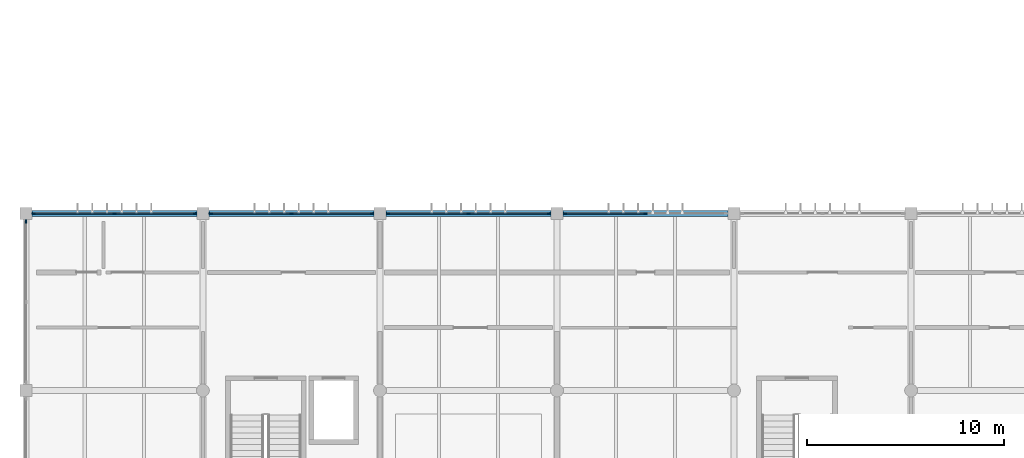
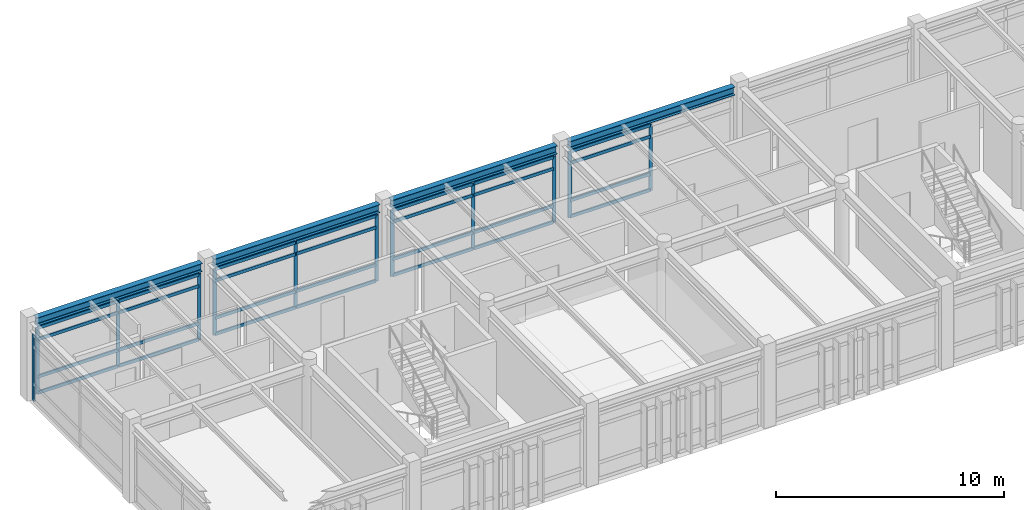
# One storey, part 9 of 55: 40 members, 4 beams, 5 elements without a shape of their own.
"""IFC4 building model written with IfcOpenShell, lengths in metres."""

from ifc_helpers import new_model, si_unit, direction, frame, origin, origin_2d, place, context, subcontext, project, spatial, rectangle, i_section, extrude, material, material_profile, profile_set, type_object, element, aggregate, save


model = new_model("IFC4")

# Units and contexts
model_context = context("Model", 3, precision=1e-05, world=origin(), true_north=direction((0.0, 1.0)))
body_context = subcontext(model_context, "Body", "Model", "MODEL_VIEW")
ifc_project = project(units=[si_unit("LENGTHUNIT", "METRE"), si_unit("AREAUNIT", "SQUARE_METRE"), si_unit("VOLUMEUNIT", "CUBIC_METRE"), si_unit("PLANEANGLEUNIT", "RADIAN"), si_unit("MASSUNIT", "GRAM", prefix="KILO")], contexts=[model_context])

# Site, building, storey
site_placement = place(None, origin())
site = spatial("IfcSite", under=ifc_project, at=site_placement, CompositionType="ELEMENT")
building_placement = place(site_placement, origin())
building = spatial("IfcBuilding", under=site, at=building_placement, Name="Bozkorgan Art Gallery", CompositionType="ELEMENT")
storey_placement = place(building_placement, frame((0.0, 0.0, 15.0)))
storey = spatial("IfcBuildingStorey", under=building, at=storey_placement, Name="L03", CompositionType="ELEMENT", Elevation=15.0)

# Beams
ifc_material_1 = material(Name="Steel S355J2", Category="steel")
ifc_material_profile_1 = material_profile(ifc_material_1, i_section(OverallWidth=0.300048828125, OverallDepth=0.43994140625, WebThickness=0.011474609375, FlangeThickness=0.02099609375, FilletRadius=0.027099609375, at=origin_2d()), Name="HEA 450")
ifc_profile_set_1 = profile_set([ifc_material_profile_1], Name="Steel S355J2")
beam_type = type_object("IfcBeamType", Name="BEAM-SP-34", PredefinedType="SPANDREL", material=ifc_profile_set_1)
for number, where, z_axis, x_axis, name in (
    (1, (2.300048828125, 20.0, 3.9599609375), (1.0, 0.0, 0.0), (0.0, 1.0, 0.0), "V1 L03 spandrel X (2-11, 20.0)"),
    (2, (11.300048828125, 20.0, 3.9599609375), (1.0, 0.0, 0.0), (0.0, 1.0, 0.0), "V1 L03 spandrel X (11-20, 20.0)"),
    (3, (20.300048828125, 20.0, 3.9599609375), (1.0, 0.0, 0.0), (0.0, 1.0, 0.0), "V1 L03 spandrel X (20-29, 20.0)"),
    (4, (29.300048828125, 20.0, 3.9599609375), (1.0, 0.0, 0.0), (0.0, 1.0, 0.0), "V1 L03 spandrel X (29-38, 20.0)"),
):
    element("IfcBeam", number, at=place(storey_placement, frame(where, z_axis=z_axis, x_axis=x_axis)), inside=storey, type_object=beam_type, Name=name, PredefinedType="SPANDREL", context=body_context, shape_type="SweptSolid", body=[
        extrude(i_section(OverallWidth=0.300048828125, OverallDepth=0.43994140625, WebThickness=0.011474609375, FlangeThickness=0.02099609375, FilletRadius=0.027099609375, at=origin_2d()), origin(), (0.0, 0.0, 1.0), 8.39990234375),
    ])

# Curtain wall, members
ifc_material_2 = material(Name="Anodised Bronze Aluminium", Category="aluminium")
curtain_wall_type = type_object("IfcCurtainWallType", Name="CW-CW-42", PredefinedType="NOTDEFINED", material=ifc_material_2)
curtain_wall_1_placement = place(storey_placement, origin())
curtain_wall_1 = element("IfcCurtainWall", 5, at=curtain_wall_1_placement, inside=storey, type_object=curtain_wall_type, Name="L03 unitised curtain wall CW-V1-L03-1N-02", PredefinedType="NOTDEFINED")
ifc_material_profile_2 = material_profile(ifc_material_2, rectangle(XDim=0.06494140625, YDim=0.179931640625, at=origin_2d()), Name="ALU MULLION 65x180")
ifc_profile_set_2 = profile_set([ifc_material_profile_2], Name="Anodised Bronze Aluminium")
member_type_1 = type_object("IfcMemberType", Name="CWM-01", PredefinedType="MULLION", material=ifc_profile_set_2)
member_1_placement = place(storey_placement, frame((2.3974609375, 20.0, 0.02001953125), z_axis=(0.0, 0.0, 1.0), x_axis=(0.0, 1.0, 0.0)))
member_1 = element("IfcMember", 6, at=member_1_placement, type_object=member_type_1, Name="CW-42 mullion 1", PredefinedType="MULLION", context=body_context, shape_type="SweptSolid", body=[
    extrude(rectangle(XDim=0.06494140625, YDim=0.179931640625, at=origin_2d()), origin(), (0.0, 0.0, 1.0), 3.554931640625),
])
member_2_placement = place(storey_placement, frame((6.5, 20.0, 0.02001953125), z_axis=(0.0, 0.0, 1.0), x_axis=(0.0, 1.0, 0.0)))
member_2 = element("IfcMember", 7, at=member_2_placement, type_object=member_type_1, Name="CW-42 mullion 2", PredefinedType="MULLION", context=body_context, shape_type="SweptSolid", body=[
    extrude(rectangle(XDim=0.06494140625, YDim=0.179931640625, at=origin_2d()), origin(), (0.0, 0.0, 1.0), 3.554931640625),
])
member_3_placement = place(storey_placement, frame((10.6025390625, 20.0, 0.02001953125), z_axis=(0.0, 0.0, 1.0), x_axis=(0.0, 1.0, 0.0)))
member_3 = element("IfcMember", 8, at=member_3_placement, type_object=member_type_1, Name="CW-42 mullion 3", PredefinedType="MULLION", context=body_context, shape_type="SweptSolid", body=[
    extrude(rectangle(XDim=0.06494140625, YDim=0.179931640625, at=origin_2d()), origin(), (0.0, 0.0, 1.0), 3.554931640625),
])

curtain_wall_2_placement = place(storey_placement, origin())
curtain_wall_2 = element("IfcCurtainWall", 9, at=curtain_wall_2_placement, inside=storey, type_object=curtain_wall_type, Name="L03 unitised curtain wall CW-V1-L03-1N-04", PredefinedType="NOTDEFINED")
member_4_placement = place(storey_placement, frame((11.3974609375, 20.0, 0.02001953125), z_axis=(0.0, 0.0, 1.0), x_axis=(0.0, 1.0, 0.0)))
member_4 = element("IfcMember", 10, at=member_4_placement, type_object=member_type_1, Name="CW-42 mullion 1", PredefinedType="MULLION", context=body_context, shape_type="SweptSolid", body=[
    extrude(rectangle(XDim=0.06494140625, YDim=0.179931640625, at=origin_2d()), origin(), (0.0, 0.0, 1.0), 3.554931640625),
])
member_5_placement = place(storey_placement, frame((15.5, 20.0, 0.02001953125), z_axis=(0.0, 0.0, 1.0), x_axis=(0.0, 1.0, 0.0)))
member_5 = element("IfcMember", 11, at=member_5_placement, type_object=member_type_1, Name="CW-42 mullion 2", PredefinedType="MULLION", context=body_context, shape_type="SweptSolid", body=[
    extrude(rectangle(XDim=0.06494140625, YDim=0.179931640625, at=origin_2d()), origin(), (0.0, 0.0, 1.0), 3.554931640625),
])
member_6_placement = place(storey_placement, frame((19.6025390625, 20.0, 0.02001953125), z_axis=(0.0, 0.0, 1.0), x_axis=(0.0, 1.0, 0.0)))
member_6 = element("IfcMember", 12, at=member_6_placement, type_object=member_type_1, Name="CW-42 mullion 3", PredefinedType="MULLION", context=body_context, shape_type="SweptSolid", body=[
    extrude(rectangle(XDim=0.06494140625, YDim=0.179931640625, at=origin_2d()), origin(), (0.0, 0.0, 1.0), 3.554931640625),
])

curtain_wall_3_placement = place(storey_placement, origin())
curtain_wall_3 = element("IfcCurtainWall", 13, at=curtain_wall_3_placement, inside=storey, type_object=curtain_wall_type, Name="L03 unitised curtain wall CW-V1-L03-1N-06", PredefinedType="NOTDEFINED")
member_7_placement = place(storey_placement, frame((20.3974609375, 20.0, 0.02001953125), z_axis=(0.0, 0.0, 1.0), x_axis=(0.0, 1.0, 0.0)))
member_7 = element("IfcMember", 14, at=member_7_placement, type_object=member_type_1, Name="CW-42 mullion 1", PredefinedType="MULLION", context=body_context, shape_type="SweptSolid", body=[
    extrude(rectangle(XDim=0.06494140625, YDim=0.179931640625, at=origin_2d()), origin(), (0.0, 0.0, 1.0), 3.554931640625),
])
member_8_placement = place(storey_placement, frame((24.5, 20.0, 0.02001953125), z_axis=(0.0, 0.0, 1.0), x_axis=(0.0, 1.0, 0.0)))
member_8 = element("IfcMember", 15, at=member_8_placement, type_object=member_type_1, Name="CW-42 mullion 2", PredefinedType="MULLION", context=body_context, shape_type="SweptSolid", body=[
    extrude(rectangle(XDim=0.06494140625, YDim=0.179931640625, at=origin_2d()), origin(), (0.0, 0.0, 1.0), 3.554931640625),
])
member_9_placement = place(storey_placement, frame((28.6025390625, 20.0, 0.02001953125), z_axis=(0.0, 0.0, 1.0), x_axis=(0.0, 1.0, 0.0)))
member_9 = element("IfcMember", 16, at=member_9_placement, type_object=member_type_1, Name="CW-42 mullion 3", PredefinedType="MULLION", context=body_context, shape_type="SweptSolid", body=[
    extrude(rectangle(XDim=0.06494140625, YDim=0.179931640625, at=origin_2d()), origin(), (0.0, 0.0, 1.0), 3.554931640625),
])

curtain_wall_4_placement = place(storey_placement, origin())
curtain_wall_4 = element("IfcCurtainWall", 17, at=curtain_wall_4_placement, inside=storey, type_object=curtain_wall_type, Name="L03 unitised curtain wall CW-V1-L03-1N-08", PredefinedType="NOTDEFINED")
member_10_placement = place(storey_placement, frame((29.3974609375, 20.0, 0.02001953125), z_axis=(0.0, 0.0, 1.0), x_axis=(0.0, 1.0, 0.0)))
member_10 = element("IfcMember", 18, at=member_10_placement, type_object=member_type_1, Name="CW-42 mullion 1", PredefinedType="MULLION", context=body_context, shape_type="SweptSolid", body=[
    extrude(rectangle(XDim=0.06494140625, YDim=0.179931640625, at=origin_2d()), origin(), (0.0, 0.0, 1.0), 3.554931640625),
])
member_11_placement = place(storey_placement, frame((33.5, 20.0, 0.02001953125), z_axis=(0.0, 0.0, 1.0), x_axis=(0.0, 1.0, 0.0)))
member_11 = element("IfcMember", 19, at=member_11_placement, type_object=member_type_1, Name="CW-42 mullion 2", PredefinedType="MULLION", context=body_context, shape_type="SweptSolid", body=[
    extrude(rectangle(XDim=0.06494140625, YDim=0.179931640625, at=origin_2d()), origin(), (0.0, 0.0, 1.0), 3.554931640625),
])

# Curtain wall, member
curtain_wall_5_placement = place(storey_placement, origin())
curtain_wall_5 = element("IfcCurtainWall", 20, at=curtain_wall_5_placement, inside=storey, type_object=curtain_wall_type, Name="L03 unitised curtain wall CW-V1-L03-1W-17", PredefinedType="NOTDEFINED")
member_12_placement = place(storey_placement, frame((2.0, 19.6025390625, 0.02001953125), z_axis=(0.0, 0.0, 1.0), x_axis=(-1.0, 0.0, 0.0)))
member_12 = element("IfcMember", 21, at=member_12_placement, type_object=member_type_1, Name="CW-42 mullion 3", PredefinedType="MULLION", context=body_context, shape_type="SweptSolid", body=[
    extrude(rectangle(XDim=0.06494140625, YDim=0.179931640625, at=origin_2d()), origin(), (0.0, 0.0, 1.0), 3.554931640625),
])
aggregate(curtain_wall_5, [member_12])

# Member
ifc_material_profile_3 = material_profile(ifc_material_2, rectangle(XDim=0.074951171875, YDim=0.169921875, at=origin_2d()), Name="ALU TRANSOM 75x170")
ifc_profile_set_3 = profile_set([ifc_material_profile_3], Name="Anodised Bronze Aluminium")
member_type_2 = type_object("IfcMemberType", Name="CWT-02", PredefinedType="USERDEFINED", material=ifc_profile_set_3)
member_13_placement = place(storey_placement, frame((2.429931640625, 20.0, 0.0576171875), z_axis=(1.0, 0.0, 0.0), x_axis=(0.0, 1.0, 0.0)))
member_13 = element("IfcMember", 22, at=member_13_placement, type_object=member_type_2, Name="CW-42 transom 1.1", ObjectType="TRANSOM", PredefinedType="USERDEFINED", context=body_context, shape_type="SweptSolid", body=[
    extrude(rectangle(XDim=0.074951171875, YDim=0.169921875, at=origin_2d()), origin(), (0.0, 0.0, 1.0), 4.03759765625),
])

member_14_placement = place(storey_placement, frame((2.429931640625, 20.0, 0.919921875), z_axis=(1.0, 0.0, 0.0), x_axis=(0.0, 1.0, 0.0)))
member_14 = element("IfcMember", 23, at=member_14_placement, type_object=member_type_2, Name="CW-42 transom 1.2", ObjectType="TRANSOM", PredefinedType="USERDEFINED", context=body_context, shape_type="SweptSolid", body=[
    extrude(rectangle(XDim=0.074951171875, YDim=0.169921875, at=origin_2d()), origin(), (0.0, 0.0, 1.0), 4.03759765625),
])

member_15_placement = place(storey_placement, frame((2.429931640625, 20.0, 2.925048828125), z_axis=(1.0, 0.0, 0.0), x_axis=(0.0, 1.0, 0.0)))
member_15 = element("IfcMember", 24, at=member_15_placement, type_object=member_type_2, Name="CW-42 transom 1.3", ObjectType="TRANSOM", PredefinedType="USERDEFINED", context=body_context, shape_type="SweptSolid", body=[
    extrude(rectangle(XDim=0.074951171875, YDim=0.169921875, at=origin_2d()), origin(), (0.0, 0.0, 1.0), 4.03759765625),
])

member_16_placement = place(storey_placement, frame((2.429931640625, 20.0, 3.53759765625), z_axis=(1.0, 0.0, 0.0), x_axis=(0.0, 1.0, 0.0)))
member_16 = element("IfcMember", 25, at=member_16_placement, type_object=member_type_2, Name="CW-42 transom 1.4", ObjectType="TRANSOM", PredefinedType="USERDEFINED", context=body_context, shape_type="SweptSolid", body=[
    extrude(rectangle(XDim=0.074951171875, YDim=0.169921875, at=origin_2d()), origin(), (0.0, 0.0, 1.0), 4.03759765625),
])

member_17_placement = place(storey_placement, frame((6.532470703125, 20.0, 0.0576171875), z_axis=(1.0, 0.0, 0.0), x_axis=(0.0, 1.0, 0.0)))
member_17 = element("IfcMember", 26, at=member_17_placement, type_object=member_type_2, Name="CW-42 transom 2.1", ObjectType="TRANSOM", PredefinedType="USERDEFINED", context=body_context, shape_type="SweptSolid", body=[
    extrude(rectangle(XDim=0.074951171875, YDim=0.169921875, at=origin_2d()), origin(), (0.0, 0.0, 1.0), 4.03759765625),
])

member_18_placement = place(storey_placement, frame((6.532470703125, 20.0, 0.919921875), z_axis=(1.0, 0.0, 0.0), x_axis=(0.0, 1.0, 0.0)))
member_18 = element("IfcMember", 27, at=member_18_placement, type_object=member_type_2, Name="CW-42 transom 2.2", ObjectType="TRANSOM", PredefinedType="USERDEFINED", context=body_context, shape_type="SweptSolid", body=[
    extrude(rectangle(XDim=0.074951171875, YDim=0.169921875, at=origin_2d()), origin(), (0.0, 0.0, 1.0), 4.03759765625),
])

member_19_placement = place(storey_placement, frame((6.532470703125, 20.0, 2.925048828125), z_axis=(1.0, 0.0, 0.0), x_axis=(0.0, 1.0, 0.0)))
member_19 = element("IfcMember", 28, at=member_19_placement, type_object=member_type_2, Name="CW-42 transom 2.3", ObjectType="TRANSOM", PredefinedType="USERDEFINED", context=body_context, shape_type="SweptSolid", body=[
    extrude(rectangle(XDim=0.074951171875, YDim=0.169921875, at=origin_2d()), origin(), (0.0, 0.0, 1.0), 4.03759765625),
])

member_20_placement = place(storey_placement, frame((6.532470703125, 20.0, 3.53759765625), z_axis=(1.0, 0.0, 0.0), x_axis=(0.0, 1.0, 0.0)))
member_20 = element("IfcMember", 29, at=member_20_placement, type_object=member_type_2, Name="CW-42 transom 2.4", ObjectType="TRANSOM", PredefinedType="USERDEFINED", context=body_context, shape_type="SweptSolid", body=[
    extrude(rectangle(XDim=0.074951171875, YDim=0.169921875, at=origin_2d()), origin(), (0.0, 0.0, 1.0), 4.03759765625),
])

aggregate(curtain_wall_1, [member_1, member_2, member_3, member_13, member_14, member_15, member_16, member_17, member_18, member_19, member_20])

member_21_placement = place(storey_placement, frame((11.429931640625, 20.0, 0.0576171875), z_axis=(1.0, 0.0, 0.0), x_axis=(0.0, 1.0, 0.0)))
member_21 = element("IfcMember", 30, at=member_21_placement, type_object=member_type_2, Name="CW-42 transom 1.1", ObjectType="TRANSOM", PredefinedType="USERDEFINED", context=body_context, shape_type="SweptSolid", body=[
    extrude(rectangle(XDim=0.074951171875, YDim=0.169921875, at=origin_2d()), origin(), (0.0, 0.0, 1.0), 4.03759765625),
])

member_22_placement = place(storey_placement, frame((11.429931640625, 20.0, 0.919921875), z_axis=(1.0, 0.0, 0.0), x_axis=(0.0, 1.0, 0.0)))
member_22 = element("IfcMember", 31, at=member_22_placement, type_object=member_type_2, Name="CW-42 transom 1.2", ObjectType="TRANSOM", PredefinedType="USERDEFINED", context=body_context, shape_type="SweptSolid", body=[
    extrude(rectangle(XDim=0.074951171875, YDim=0.169921875, at=origin_2d()), origin(), (0.0, 0.0, 1.0), 4.03759765625),
])

member_23_placement = place(storey_placement, frame((11.429931640625, 20.0, 2.925048828125), z_axis=(1.0, 0.0, 0.0), x_axis=(0.0, 1.0, 0.0)))
member_23 = element("IfcMember", 32, at=member_23_placement, type_object=member_type_2, Name="CW-42 transom 1.3", ObjectType="TRANSOM", PredefinedType="USERDEFINED", context=body_context, shape_type="SweptSolid", body=[
    extrude(rectangle(XDim=0.074951171875, YDim=0.169921875, at=origin_2d()), origin(), (0.0, 0.0, 1.0), 4.03759765625),
])

member_24_placement = place(storey_placement, frame((11.429931640625, 20.0, 3.53759765625), z_axis=(1.0, 0.0, 0.0), x_axis=(0.0, 1.0, 0.0)))
member_24 = element("IfcMember", 33, at=member_24_placement, type_object=member_type_2, Name="CW-42 transom 1.4", ObjectType="TRANSOM", PredefinedType="USERDEFINED", context=body_context, shape_type="SweptSolid", body=[
    extrude(rectangle(XDim=0.074951171875, YDim=0.169921875, at=origin_2d()), origin(), (0.0, 0.0, 1.0), 4.03759765625),
])

member_25_placement = place(storey_placement, frame((15.532470703125, 20.0, 0.0576171875), z_axis=(1.0, 0.0, 0.0), x_axis=(0.0, 1.0, 0.0)))
member_25 = element("IfcMember", 34, at=member_25_placement, type_object=member_type_2, Name="CW-42 transom 2.1", ObjectType="TRANSOM", PredefinedType="USERDEFINED", context=body_context, shape_type="SweptSolid", body=[
    extrude(rectangle(XDim=0.074951171875, YDim=0.169921875, at=origin_2d()), origin(), (0.0, 0.0, 1.0), 4.03759765625),
])

member_26_placement = place(storey_placement, frame((15.532470703125, 20.0, 0.919921875), z_axis=(1.0, 0.0, 0.0), x_axis=(0.0, 1.0, 0.0)))
member_26 = element("IfcMember", 35, at=member_26_placement, type_object=member_type_2, Name="CW-42 transom 2.2", ObjectType="TRANSOM", PredefinedType="USERDEFINED", context=body_context, shape_type="SweptSolid", body=[
    extrude(rectangle(XDim=0.074951171875, YDim=0.169921875, at=origin_2d()), origin(), (0.0, 0.0, 1.0), 4.03759765625),
])

member_27_placement = place(storey_placement, frame((15.532470703125, 20.0, 2.925048828125), z_axis=(1.0, 0.0, 0.0), x_axis=(0.0, 1.0, 0.0)))
member_27 = element("IfcMember", 36, at=member_27_placement, type_object=member_type_2, Name="CW-42 transom 2.3", ObjectType="TRANSOM", PredefinedType="USERDEFINED", context=body_context, shape_type="SweptSolid", body=[
    extrude(rectangle(XDim=0.074951171875, YDim=0.169921875, at=origin_2d()), origin(), (0.0, 0.0, 1.0), 4.03759765625),
])

member_28_placement = place(storey_placement, frame((15.532470703125, 20.0, 3.53759765625), z_axis=(1.0, 0.0, 0.0), x_axis=(0.0, 1.0, 0.0)))
member_28 = element("IfcMember", 37, at=member_28_placement, type_object=member_type_2, Name="CW-42 transom 2.4", ObjectType="TRANSOM", PredefinedType="USERDEFINED", context=body_context, shape_type="SweptSolid", body=[
    extrude(rectangle(XDim=0.074951171875, YDim=0.169921875, at=origin_2d()), origin(), (0.0, 0.0, 1.0), 4.03759765625),
])

aggregate(curtain_wall_2, [member_4, member_5, member_6, member_21, member_22, member_23, member_24, member_25, member_26, member_27, member_28])

member_29_placement = place(storey_placement, frame((20.429931640625, 20.0, 0.0576171875), z_axis=(1.0, 0.0, 0.0), x_axis=(0.0, 1.0, 0.0)))
member_29 = element("IfcMember", 38, at=member_29_placement, type_object=member_type_2, Name="CW-42 transom 1.1", ObjectType="TRANSOM", PredefinedType="USERDEFINED", context=body_context, shape_type="SweptSolid", body=[
    extrude(rectangle(XDim=0.074951171875, YDim=0.169921875, at=origin_2d()), origin(), (0.0, 0.0, 1.0), 4.03759765625),
])

member_30_placement = place(storey_placement, frame((20.429931640625, 20.0, 0.919921875), z_axis=(1.0, 0.0, 0.0), x_axis=(0.0, 1.0, 0.0)))
member_30 = element("IfcMember", 39, at=member_30_placement, type_object=member_type_2, Name="CW-42 transom 1.2", ObjectType="TRANSOM", PredefinedType="USERDEFINED", context=body_context, shape_type="SweptSolid", body=[
    extrude(rectangle(XDim=0.074951171875, YDim=0.169921875, at=origin_2d()), origin(), (0.0, 0.0, 1.0), 4.03759765625),
])

member_31_placement = place(storey_placement, frame((20.429931640625, 20.0, 2.925048828125), z_axis=(1.0, 0.0, 0.0), x_axis=(0.0, 1.0, 0.0)))
member_31 = element("IfcMember", 40, at=member_31_placement, type_object=member_type_2, Name="CW-42 transom 1.3", ObjectType="TRANSOM", PredefinedType="USERDEFINED", context=body_context, shape_type="SweptSolid", body=[
    extrude(rectangle(XDim=0.074951171875, YDim=0.169921875, at=origin_2d()), origin(), (0.0, 0.0, 1.0), 4.03759765625),
])

member_32_placement = place(storey_placement, frame((20.429931640625, 20.0, 3.53759765625), z_axis=(1.0, 0.0, 0.0), x_axis=(0.0, 1.0, 0.0)))
member_32 = element("IfcMember", 41, at=member_32_placement, type_object=member_type_2, Name="CW-42 transom 1.4", ObjectType="TRANSOM", PredefinedType="USERDEFINED", context=body_context, shape_type="SweptSolid", body=[
    extrude(rectangle(XDim=0.074951171875, YDim=0.169921875, at=origin_2d()), origin(), (0.0, 0.0, 1.0), 4.03759765625),
])

member_33_placement = place(storey_placement, frame((24.532470703125, 20.0, 0.0576171875), z_axis=(1.0, 0.0, 0.0), x_axis=(0.0, 1.0, 0.0)))
member_33 = element("IfcMember", 42, at=member_33_placement, type_object=member_type_2, Name="CW-42 transom 2.1", ObjectType="TRANSOM", PredefinedType="USERDEFINED", context=body_context, shape_type="SweptSolid", body=[
    extrude(rectangle(XDim=0.074951171875, YDim=0.169921875, at=origin_2d()), origin(), (0.0, 0.0, 1.0), 4.03759765625),
])

member_34_placement = place(storey_placement, frame((24.532470703125, 20.0, 0.919921875), z_axis=(1.0, 0.0, 0.0), x_axis=(0.0, 1.0, 0.0)))
member_34 = element("IfcMember", 43, at=member_34_placement, type_object=member_type_2, Name="CW-42 transom 2.2", ObjectType="TRANSOM", PredefinedType="USERDEFINED", context=body_context, shape_type="SweptSolid", body=[
    extrude(rectangle(XDim=0.074951171875, YDim=0.169921875, at=origin_2d()), origin(), (0.0, 0.0, 1.0), 4.03759765625),
])

member_35_placement = place(storey_placement, frame((24.532470703125, 20.0, 2.925048828125), z_axis=(1.0, 0.0, 0.0), x_axis=(0.0, 1.0, 0.0)))
member_35 = element("IfcMember", 44, at=member_35_placement, type_object=member_type_2, Name="CW-42 transom 2.3", ObjectType="TRANSOM", PredefinedType="USERDEFINED", context=body_context, shape_type="SweptSolid", body=[
    extrude(rectangle(XDim=0.074951171875, YDim=0.169921875, at=origin_2d()), origin(), (0.0, 0.0, 1.0), 4.03759765625),
])

member_36_placement = place(storey_placement, frame((24.532470703125, 20.0, 3.53759765625), z_axis=(1.0, 0.0, 0.0), x_axis=(0.0, 1.0, 0.0)))
member_36 = element("IfcMember", 45, at=member_36_placement, type_object=member_type_2, Name="CW-42 transom 2.4", ObjectType="TRANSOM", PredefinedType="USERDEFINED", context=body_context, shape_type="SweptSolid", body=[
    extrude(rectangle(XDim=0.074951171875, YDim=0.169921875, at=origin_2d()), origin(), (0.0, 0.0, 1.0), 4.03759765625),
])

aggregate(curtain_wall_3, [member_7, member_8, member_9, member_29, member_30, member_31, member_32, member_33, member_34, member_35, member_36])

member_37_placement = place(storey_placement, frame((29.429931640625, 20.0, 0.0576171875), z_axis=(1.0, 0.0, 0.0), x_axis=(0.0, 1.0, 0.0)))
member_37 = element("IfcMember", 46, at=member_37_placement, type_object=member_type_2, Name="CW-42 transom 1.1", ObjectType="TRANSOM", PredefinedType="USERDEFINED", context=body_context, shape_type="SweptSolid", body=[
    extrude(rectangle(XDim=0.074951171875, YDim=0.169921875, at=origin_2d()), origin(), (0.0, 0.0, 1.0), 4.03759765625),
])

member_38_placement = place(storey_placement, frame((29.429931640625, 20.0, 0.919921875), z_axis=(1.0, 0.0, 0.0), x_axis=(0.0, 1.0, 0.0)))
member_38 = element("IfcMember", 47, at=member_38_placement, type_object=member_type_2, Name="CW-42 transom 1.2", ObjectType="TRANSOM", PredefinedType="USERDEFINED", context=body_context, shape_type="SweptSolid", body=[
    extrude(rectangle(XDim=0.074951171875, YDim=0.169921875, at=origin_2d()), origin(), (0.0, 0.0, 1.0), 4.03759765625),
])

member_39_placement = place(storey_placement, frame((29.429931640625, 20.0, 2.925048828125), z_axis=(1.0, 0.0, 0.0), x_axis=(0.0, 1.0, 0.0)))
member_39 = element("IfcMember", 48, at=member_39_placement, type_object=member_type_2, Name="CW-42 transom 1.3", ObjectType="TRANSOM", PredefinedType="USERDEFINED", context=body_context, shape_type="SweptSolid", body=[
    extrude(rectangle(XDim=0.074951171875, YDim=0.169921875, at=origin_2d()), origin(), (0.0, 0.0, 1.0), 4.03759765625),
])

member_40_placement = place(storey_placement, frame((29.429931640625, 20.0, 3.53759765625), z_axis=(1.0, 0.0, 0.0), x_axis=(0.0, 1.0, 0.0)))
member_40 = element("IfcMember", 49, at=member_40_placement, type_object=member_type_2, Name="CW-42 transom 1.4", ObjectType="TRANSOM", PredefinedType="USERDEFINED", context=body_context, shape_type="SweptSolid", body=[
    extrude(rectangle(XDim=0.074951171875, YDim=0.169921875, at=origin_2d()), origin(), (0.0, 0.0, 1.0), 4.03759765625),
])

aggregate(curtain_wall_4, [member_10, member_11, member_37, member_38, member_39, member_40])

save(model, "model.ifc")
